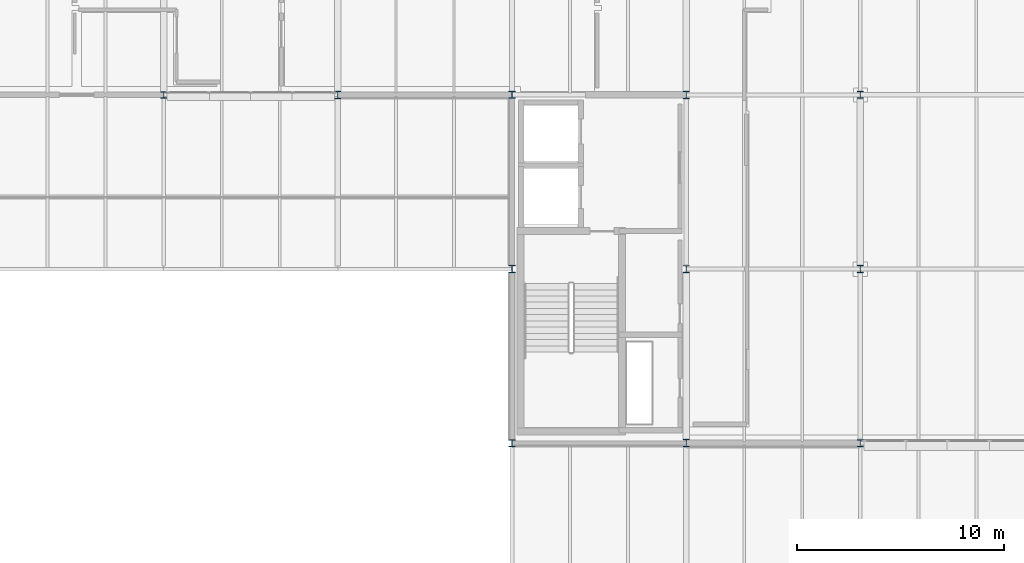
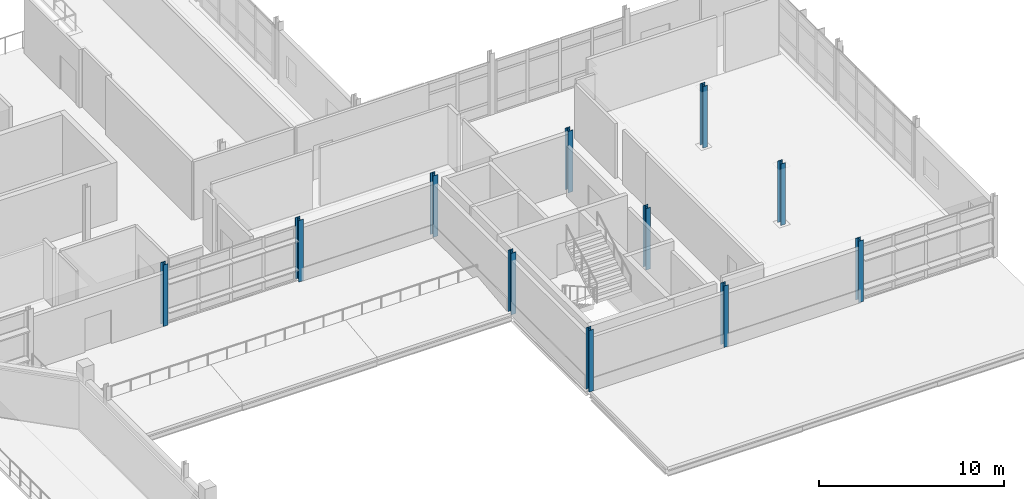
# One storey, part 2 of 151: 11 columns.
"""IFC4 building model written with IfcOpenShell, lengths in metres."""

import ifcopenshell
import ifcopenshell.guid

model = None  # the IFC model being written
_history = None  # IfcOwnerHistory: only IFC2X3 demands one
_inside = {}  # id of a spatial element -> (the spatial element, [elements in it])
_under = {}  # id of a project, library or spatial element -> (it, [spatial elements below it])
_declared = {}  # id of a project -> (the project, [libraries it declares])
_typed = {}  # id of a type object -> (the type object, [elements of that type])
_made_of = {}  # id of a material, layer set ... -> (it, [elements and type objects made of it])


def new_model(schema):
    """Start an empty IFC model of exactly this schema.

    Asked for "IFC4X3", IfcOpenShell would pick the latest addendum, in which some entities
    have other attributes; the version numbers below select the first issue.
    IFC2X3 requires an IfcOwnerHistory on every rooted entity: one is made here for all.
    """
    global model, _history
    if schema == "IFC4X3":
        model = ifcopenshell.file(schema_version=(4, 3, 0, 0))
    else:
        model = ifcopenshell.file(schema=schema)
    _inside.clear()
    _under.clear()
    _declared.clear()
    _typed.clear()
    _made_of.clear()
    _history = None
    if model.schema == "IFC2X3":
        org = make("IfcOrganization", Name="unknown")
        user = make(
            "IfcPersonAndOrganization",
            ThePerson=make("IfcPerson", FamilyName="unknown"),
            TheOrganization=org,
        )
        app = make(
            "IfcApplication",
            ApplicationDeveloper=org,
            Version="unknown",
            ApplicationFullName="unknown",
            ApplicationIdentifier="unknown",
        )
        _history = make(
            "IfcOwnerHistory",
            OwningUser=user,
            OwningApplication=app,
            ChangeAction="ADDED",
            CreationDate=0,
        )
    return model


def make(cls, **values):
    """One entity of the class cls with the attributes given. An attribute that is None is left unset."""
    return model.create_entity(
        cls, **{name: value for name, value in values.items() if value is not None}
    )


def rooted(cls, **values):
    """An entity with a GlobalId (a new one), such as an element, a storey or a relation."""
    return make(cls, GlobalId=ifcopenshell.guid.new(), OwnerHistory=_history, **values)


def si_unit(unit_type, name, prefix=None):
    """IfcSIUnit, for example si_unit("LENGTHUNIT", "METRE", prefix="MILLI")."""
    return make("IfcSIUnit", UnitType=unit_type, Prefix=prefix, Name=name)


def assignment(units):
    """IfcUnitAssignment: the units of a project."""
    return None if units is None else make("IfcUnitAssignment", Units=units)


def point(xyz):
    """IfcCartesianPoint."""
    return None if xyz is None else make("IfcCartesianPoint", Coordinates=xyz)


def direction(xyz):
    """IfcDirection."""
    return None if xyz is None else make("IfcDirection", DirectionRatios=xyz)


def frame(location, z_axis=None, x_axis=None):
    """IfcAxis2Placement3D, a coordinate frame: its origin and axes. An axis left out is left unset."""
    return make(
        "IfcAxis2Placement3D",
        Location=point(location),
        Axis=direction(z_axis),
        RefDirection=direction(x_axis),
    )


def frame_2d(location, x_axis=None):
    """IfcAxis2Placement2D, a coordinate frame in the plane: its origin and x axis."""
    return make(
        "IfcAxis2Placement2D", Location=point(location), RefDirection=direction(x_axis)
    )


def origin():
    """The frame at (0, 0, 0) with its axes left unset."""
    return frame((0.0, 0.0, 0.0))


def origin_2d():
    """The frame at (0, 0) in the plane with its x axis left unset."""
    return frame_2d((0.0, 0.0))


def place(relative_to, where):
    """IfcLocalPlacement: puts the frame where relative to a parent placement (None: the world)."""
    return make(
        "IfcLocalPlacement", PlacementRelTo=relative_to, RelativePlacement=where
    )


def context(
    kind, dimensions, precision=None, world=None, true_north=None, identifier=None
):
    """IfcGeometricRepresentationContext, for example the 3D "Model" context."""
    return make(
        "IfcGeometricRepresentationContext",
        ContextIdentifier=identifier,
        ContextType=kind,
        CoordinateSpaceDimension=dimensions,
        Precision=precision,
        WorldCoordinateSystem=world,
        TrueNorth=true_north,
    )


def subcontext(parent, identifier, kind, view, scale=None):
    """IfcGeometricRepresentationSubContext, for example "Body" below "Model"."""
    return make(
        "IfcGeometricRepresentationSubContext",
        ContextIdentifier=identifier,
        ContextType=kind,
        ParentContext=parent,
        TargetScale=scale,
        TargetView=view,
    )


def project(units=None, contexts=None):
    """IfcProject with its units and contexts."""
    return rooted(
        "IfcProject",
        Name="project",
        RepresentationContexts=contexts,
        UnitsInContext=assignment(units),
    )


def spatial(cls, under=None, at=None, **own):
    """A site, building, storey or space (cls), placed at a placement, below another one or the project."""
    s = rooted(cls, ObjectPlacement=at, **own)
    if under is not None:
        _under.setdefault(under.id(), (under, []))[1].append(s)
    return s


def profile(cls, at=None, kind="AREA", **sizes):
    """A parametric profile (cls). Its sizes go by their IFC names, for example OverallWidth=200.0."""
    return make(cls, ProfileType=kind, Position=at, **sizes)


def i_section(**sizes):
    """IfcIShapeProfileDef."""
    return profile("IfcIShapeProfileDef", **sizes)


def extrude(swept, where, along, depth):
    """IfcExtrudedAreaSolid: the profile swept, set in the frame where, extruded along a direction by depth."""
    return make(
        "IfcExtrudedAreaSolid",
        SweptArea=swept,
        Position=where,
        ExtrudedDirection=direction(along),
        Depth=depth,
    )


def shape(context_of_items, identifier, shape_type, items):
    """IfcShapeRepresentation: the items that make up one representation, for example the "Body"."""
    return make(
        "IfcShapeRepresentation",
        ContextOfItems=context_of_items,
        RepresentationIdentifier=identifier,
        RepresentationType=shape_type,
        Items=items,
    )


def material(Name=None, Category=None):
    """IfcMaterial."""
    return make("IfcMaterial", Name=Name, Category=Category)


def material_profile(
    of_material, cross_section, Name=None, Category=None, Priority=None
):
    """IfcMaterialProfile: a cross section and its material."""
    return make(
        "IfcMaterialProfile",
        Name=Name,
        Material=of_material,
        Profile=cross_section,
        Priority=Priority,
        Category=Category,
    )


def profile_set(profiles, Name=None, composite=None):
    """IfcMaterialProfileSet."""
    return make(
        "IfcMaterialProfileSet",
        Name=Name,
        MaterialProfiles=profiles,
        CompositeProfile=composite,
    )


def made_of(thing, what):
    """Note that an element or type object is made of a material, layer set ...; save() writes the relation."""
    if what is not None:
        _made_of.setdefault(what.id(), (what, []))[1].append(thing)
    return thing


def type_object(cls, material=None, **own):
    """A type object (cls), such as IfcWallType, which elements share."""
    return made_of(rooted(cls, **own), material)


def element(
    cls,
    number,
    at=None,
    inside=None,
    cuts=None,
    type_object=None,
    material=None,
    context=None,
    identifier="Body",
    shape_type=None,
    held_by="IfcProductDefinitionShape",
    body=None,
    shapes=None,
    **own,
):
    """One element of the class cls, such as IfcWall. Its Tag is "e" and its number.

    at: its placement. inside: the storey or other place that contains it. cuts: it is an
    opening in that element (IfcRelVoidsElement). A single representation is given by context,
    identifier, shape_type and body (its items); several are given by shapes. held_by: the class
    of the entity that holds the representations. save() writes the other relations.
    """
    e = rooted(cls, Tag="e%d" % number, ObjectPlacement=at, **own)
    if body is not None:
        shapes = [shape(context, identifier, shape_type, body)]
    if shapes is not None:
        e.Representation = make(held_by, Representations=shapes)
    if inside is not None:
        _inside.setdefault(inside.id(), (inside, []))[1].append(e)
    if cuts is not None:
        rooted(
            "IfcRelVoidsElement", RelatingBuildingElement=cuts, RelatedOpeningElement=e
        )
    if type_object is not None:
        _typed.setdefault(type_object.id(), (type_object, []))[1].append(e)
    return made_of(e, material)


def aggregate(whole, parts):
    """IfcRelAggregates: a whole, such as a stair, and the parts it consists of."""
    return rooted("IfcRelAggregates", RelatingObject=whole, RelatedObjects=parts)


def save(model, path):
    """Write the relations noted so far, then the file.

    IfcRelAggregates (storeys below a building ...), IfcRelContainedInSpatialStructure (elements
    in a storey), IfcRelDefinesByType, IfcRelAssociatesMaterial and IfcRelDeclares: one each for
    every whole, place, type object, material and project.
    """
    for whole, parts in _under.values():
        aggregate(whole, parts)
    for where, things in _inside.values():
        rooted(
            "IfcRelContainedInSpatialStructure",
            RelatedElements=things,
            RelatingStructure=where,
        )
    for kind, things in _typed.values():
        rooted("IfcRelDefinesByType", RelatedObjects=things, RelatingType=kind)
    for what, things in _made_of.values():
        rooted("IfcRelAssociatesMaterial", RelatedObjects=things, RelatingMaterial=what)
    for by, libraries in _declared.values():
        rooted("IfcRelDeclares", RelatingContext=by, RelatedDefinitions=libraries)
    model.write(path)


model = new_model("IFC4")

# Units and contexts
model_context = context("Model", 3, precision=1e-05, world=origin(), true_north=direction((0.0, 1.0)))
body_context = subcontext(model_context, "Body", "Model", "MODEL_VIEW")
ifc_project = project(units=[si_unit("LENGTHUNIT", "METRE"), si_unit("AREAUNIT", "SQUARE_METRE"), si_unit("VOLUMEUNIT", "CUBIC_METRE"), si_unit("PLANEANGLEUNIT", "RADIAN"), si_unit("MASSUNIT", "GRAM", prefix="KILO")], contexts=[model_context])

# Site, building, storey
site_placement = place(None, origin())
site = spatial("IfcSite", under=ifc_project, at=site_placement, CompositionType="ELEMENT")
building_placement = place(site_placement, origin())
building = spatial("IfcBuilding", under=site, at=building_placement, Name="Mersafa Astral City Hall", CompositionType="ELEMENT")
storey_placement = place(building_placement, frame((0.0, 0.0, 9.89990234375)))
storey = spatial("IfcBuildingStorey", under=building, at=storey_placement, Name="L02", CompositionType="ELEMENT", Elevation=9.89990234375)

# Columns
ifc_material = material(Name="Steel S355", Category="steel")
ifc_material_profile_1 = material_profile(ifc_material, i_section(OverallWidth=0.300048828125, OverallDepth=0.300048828125, WebThickness=0.010986328125, FlangeThickness=0.01904296875, FilletRadius=0.027099609375, at=origin_2d()), Name="HEB 300")
ifc_profile_set_1 = profile_set([ifc_material_profile_1], Name="Steel S355")
column_type_1 = type_object("IfcColumnType", Name="STR-COL-HEB300", PredefinedType="COLUMN", material=ifc_profile_set_1)
column_placement = place(storey_placement, frame((100.800048828125, 25.199951171875, 0.0), z_axis=(0.0, 0.0, 1.0), x_axis=(1.0, 0.0, 0.0)))
element("IfcColumn", 1, at=column_placement, inside=storey, type_object=column_type_1, Name="L02 Structural column G-12-03", PredefinedType="COLUMN", context=body_context, shape_type="SweptSolid", body=[
    extrude(i_section(OverallWidth=0.300048828125, OverallDepth=0.300048828125, WebThickness=0.010986328125, FlangeThickness=0.01904296875, FilletRadius=0.027099609375, at=origin_2d()), origin(), (0.0, 0.0, 1.0), 4.050048828125),
])
ifc_material_profile_2 = material_profile(ifc_material, i_section(OverallWidth=0.300048828125, OverallDepth=0.340087890625, WebThickness=0.011962890625, FlangeThickness=0.021484375, FilletRadius=0.027099609375, at=origin_2d()), Name="HEB 340")
ifc_profile_set_2 = profile_set([ifc_material_profile_2], Name="Steel S355")
column_type_2 = type_object("IfcColumnType", Name="STR-COL-HEB340", PredefinedType="COLUMN", material=ifc_profile_set_2)
for number, where, z_axis, x_axis, name in (
    (2, (117.60009765625, 8.39990234375, 0.0), (0.0, 0.0, 1.0), (1.0, 0.0, 0.0), "L02 Structural column G-14-01"),
    (3, (117.60009765625, 25.199951171875, 0.0), (0.0, 0.0, 1.0), (1.0, 0.0, 0.0), "L02 Structural column G-14-03"),
    (4, (126.0, 16.800048828125, 0.0), (0.0, 0.0, 1.0), (1.0, 0.0, 0.0), "L02 Structural column G-15-02"),
    (5, (134.39990234375, 8.39990234375, 0.0), (0.0, 0.0, 1.0), (1.0, 0.0, 0.0), "L02 Structural column G-16-01"),
    (6, (134.39990234375, 25.199951171875, 0.0), (0.0, 0.0, 1.0), (1.0, 0.0, 0.0), "L02 Structural column G-16-03"),
):
    element("IfcColumn", number, at=place(storey_placement, frame(where, z_axis=z_axis, x_axis=x_axis)), inside=storey, type_object=column_type_2, Name=name, PredefinedType="COLUMN", context=body_context, shape_type="SweptSolid", body=[
        extrude(i_section(OverallWidth=0.300048828125, OverallDepth=0.340087890625, WebThickness=0.011962890625, FlangeThickness=0.021484375, FilletRadius=0.027099609375, at=origin_2d()), origin(), (0.0, 0.0, 1.0), 4.050048828125),
    ])
ifc_material_profile_3 = material_profile(ifc_material, i_section(OverallWidth=0.300048828125, OverallDepth=0.360107421875, WebThickness=0.012451171875, FlangeThickness=0.0224609375, FilletRadius=0.027099609375, at=origin_2d()), Name="HEB 360")
ifc_profile_set_3 = profile_set([ifc_material_profile_3], Name="Steel S355")
column_type_3 = type_object("IfcColumnType", Name="STR-COL-HEB360", PredefinedType="COLUMN", material=ifc_profile_set_3)
for number, where, z_axis, x_axis, name in (
    (7, (109.199951171875, 25.199951171875, 0.0), (0.0, 0.0, 1.0), (1.0, 0.0, 0.0), "L02 Structural column G-13-03"),
    (8, (117.60009765625, 16.800048828125, 0.0), (0.0, 0.0, 1.0), (1.0, 0.0, 0.0), "L02 Structural column G-14-02"),
    (9, (126.0, 8.39990234375, 0.0), (0.0, 0.0, 1.0), (1.0, 0.0, 0.0), "L02 Structural column G-15-01"),
    (10, (126.0, 25.199951171875, 0.0), (0.0, 0.0, 1.0), (1.0, 0.0, 0.0), "L02 Structural column G-15-03"),
    (11, (134.39990234375, 16.800048828125, 0.0), (0.0, 0.0, 1.0), (1.0, 0.0, 0.0), "L02 Structural column G-16-02"),
):
    element("IfcColumn", number, at=place(storey_placement, frame(where, z_axis=z_axis, x_axis=x_axis)), inside=storey, type_object=column_type_3, Name=name, PredefinedType="COLUMN", context=body_context, shape_type="SweptSolid", body=[
        extrude(i_section(OverallWidth=0.300048828125, OverallDepth=0.360107421875, WebThickness=0.012451171875, FlangeThickness=0.0224609375, FilletRadius=0.027099609375, at=origin_2d()), origin(), (0.0, 0.0, 1.0), 4.050048828125),
    ])

save(model, "model.ifc")
